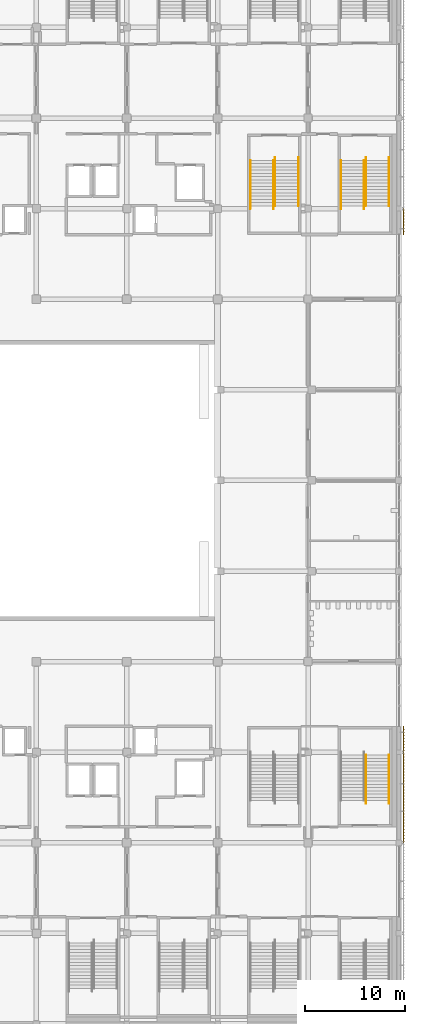
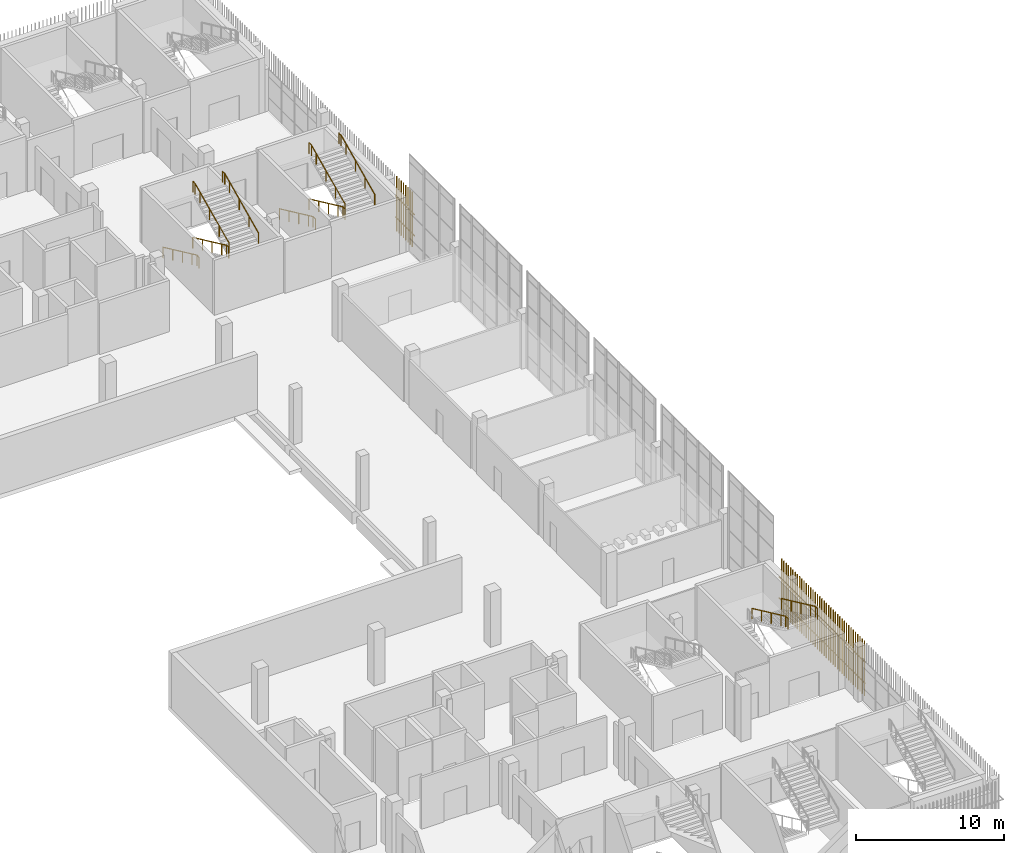
# One storey, part 122 of 126: 10 railings, 3 shading devices.
"""IFC4 building model written with IfcOpenShell, lengths in metres."""

import ifcopenshell
import ifcopenshell.guid

model = None  # the IFC model being written
_history = None  # IfcOwnerHistory: only IFC2X3 demands one
_inside = {}  # id of a spatial element -> (the spatial element, [elements in it])
_under = {}  # id of a project, library or spatial element -> (it, [spatial elements below it])
_declared = {}  # id of a project -> (the project, [libraries it declares])
_typed = {}  # id of a type object -> (the type object, [elements of that type])
_made_of = {}  # id of a material, layer set ... -> (it, [elements and type objects made of it])


def new_model(schema):
    """Start an empty IFC model of exactly this schema.

    Asked for "IFC4X3", IfcOpenShell would pick the latest addendum, in which some entities
    have other attributes; the version numbers below select the first issue.
    IFC2X3 requires an IfcOwnerHistory on every rooted entity: one is made here for all.
    """
    global model, _history
    if schema == "IFC4X3":
        model = ifcopenshell.file(schema_version=(4, 3, 0, 0))
    else:
        model = ifcopenshell.file(schema=schema)
    _inside.clear()
    _under.clear()
    _declared.clear()
    _typed.clear()
    _made_of.clear()
    _history = None
    if model.schema == "IFC2X3":
        org = make("IfcOrganization", Name="unknown")
        user = make(
            "IfcPersonAndOrganization",
            ThePerson=make("IfcPerson", FamilyName="unknown"),
            TheOrganization=org,
        )
        app = make(
            "IfcApplication",
            ApplicationDeveloper=org,
            Version="unknown",
            ApplicationFullName="unknown",
            ApplicationIdentifier="unknown",
        )
        _history = make(
            "IfcOwnerHistory",
            OwningUser=user,
            OwningApplication=app,
            ChangeAction="ADDED",
            CreationDate=0,
        )
    return model


def make(cls, **values):
    """One entity of the class cls with the attributes given. An attribute that is None is left unset."""
    return model.create_entity(
        cls, **{name: value for name, value in values.items() if value is not None}
    )


def rooted(cls, **values):
    """An entity with a GlobalId (a new one), such as an element, a storey or a relation."""
    return make(cls, GlobalId=ifcopenshell.guid.new(), OwnerHistory=_history, **values)


def si_unit(unit_type, name, prefix=None):
    """IfcSIUnit, for example si_unit("LENGTHUNIT", "METRE", prefix="MILLI")."""
    return make("IfcSIUnit", UnitType=unit_type, Prefix=prefix, Name=name)


def assignment(units):
    """IfcUnitAssignment: the units of a project."""
    return None if units is None else make("IfcUnitAssignment", Units=units)


def point(xyz):
    """IfcCartesianPoint."""
    return None if xyz is None else make("IfcCartesianPoint", Coordinates=xyz)


def direction(xyz):
    """IfcDirection."""
    return None if xyz is None else make("IfcDirection", DirectionRatios=xyz)


def frame(location, z_axis=None, x_axis=None):
    """IfcAxis2Placement3D, a coordinate frame: its origin and axes. An axis left out is left unset."""
    return make(
        "IfcAxis2Placement3D",
        Location=point(location),
        Axis=direction(z_axis),
        RefDirection=direction(x_axis),
    )


def frame_2d(location, x_axis=None):
    """IfcAxis2Placement2D, a coordinate frame in the plane: its origin and x axis."""
    return make(
        "IfcAxis2Placement2D", Location=point(location), RefDirection=direction(x_axis)
    )


def origin():
    """The frame at (0, 0, 0) with its axes left unset."""
    return frame((0.0, 0.0, 0.0))


def origin_2d():
    """The frame at (0, 0) in the plane with its x axis left unset."""
    return frame_2d((0.0, 0.0))


def place(relative_to, where):
    """IfcLocalPlacement: puts the frame where relative to a parent placement (None: the world)."""
    return make(
        "IfcLocalPlacement", PlacementRelTo=relative_to, RelativePlacement=where
    )


def context(
    kind, dimensions, precision=None, world=None, true_north=None, identifier=None
):
    """IfcGeometricRepresentationContext, for example the 3D "Model" context."""
    return make(
        "IfcGeometricRepresentationContext",
        ContextIdentifier=identifier,
        ContextType=kind,
        CoordinateSpaceDimension=dimensions,
        Precision=precision,
        WorldCoordinateSystem=world,
        TrueNorth=true_north,
    )


def subcontext(parent, identifier, kind, view, scale=None):
    """IfcGeometricRepresentationSubContext, for example "Body" below "Model"."""
    return make(
        "IfcGeometricRepresentationSubContext",
        ContextIdentifier=identifier,
        ContextType=kind,
        ParentContext=parent,
        TargetScale=scale,
        TargetView=view,
    )


def project(units=None, contexts=None):
    """IfcProject with its units and contexts."""
    return rooted(
        "IfcProject",
        Name="project",
        RepresentationContexts=contexts,
        UnitsInContext=assignment(units),
    )


def spatial(cls, under=None, at=None, **own):
    """A site, building, storey or space (cls), placed at a placement, below another one or the project."""
    s = rooted(cls, ObjectPlacement=at, **own)
    if under is not None:
        _under.setdefault(under.id(), (under, []))[1].append(s)
    return s


def profile(cls, at=None, kind="AREA", **sizes):
    """A parametric profile (cls). Its sizes go by their IFC names, for example OverallWidth=200.0."""
    return make(cls, ProfileType=kind, Position=at, **sizes)


def rectangle(**sizes):
    """IfcRectangleProfileDef."""
    return profile("IfcRectangleProfileDef", **sizes)


def circle(**sizes):
    """IfcCircleProfileDef."""
    return profile("IfcCircleProfileDef", **sizes)


def extrude(swept, where, along, depth):
    """IfcExtrudedAreaSolid: the profile swept, set in the frame where, extruded along a direction by depth."""
    return make(
        "IfcExtrudedAreaSolid",
        SweptArea=swept,
        Position=where,
        ExtrudedDirection=direction(along),
        Depth=depth,
    )


def shape(context_of_items, identifier, shape_type, items):
    """IfcShapeRepresentation: the items that make up one representation, for example the "Body"."""
    return make(
        "IfcShapeRepresentation",
        ContextOfItems=context_of_items,
        RepresentationIdentifier=identifier,
        RepresentationType=shape_type,
        Items=items,
    )


def material(Name=None, Category=None):
    """IfcMaterial."""
    return make("IfcMaterial", Name=Name, Category=Category)


def made_of(thing, what):
    """Note that an element or type object is made of a material, layer set ...; save() writes the relation."""
    if what is not None:
        _made_of.setdefault(what.id(), (what, []))[1].append(thing)
    return thing


def type_object(cls, material=None, **own):
    """A type object (cls), such as IfcWallType, which elements share."""
    return made_of(rooted(cls, **own), material)


def element(
    cls,
    number,
    at=None,
    inside=None,
    cuts=None,
    type_object=None,
    material=None,
    context=None,
    identifier="Body",
    shape_type=None,
    held_by="IfcProductDefinitionShape",
    body=None,
    shapes=None,
    **own,
):
    """One element of the class cls, such as IfcWall. Its Tag is "e" and its number.

    at: its placement. inside: the storey or other place that contains it. cuts: it is an
    opening in that element (IfcRelVoidsElement). A single representation is given by context,
    identifier, shape_type and body (its items); several are given by shapes. held_by: the class
    of the entity that holds the representations. save() writes the other relations.
    """
    e = rooted(cls, Tag="e%d" % number, ObjectPlacement=at, **own)
    if body is not None:
        shapes = [shape(context, identifier, shape_type, body)]
    if shapes is not None:
        e.Representation = make(held_by, Representations=shapes)
    if inside is not None:
        _inside.setdefault(inside.id(), (inside, []))[1].append(e)
    if cuts is not None:
        rooted(
            "IfcRelVoidsElement", RelatingBuildingElement=cuts, RelatedOpeningElement=e
        )
    if type_object is not None:
        _typed.setdefault(type_object.id(), (type_object, []))[1].append(e)
    return made_of(e, material)


def aggregate(whole, parts):
    """IfcRelAggregates: a whole, such as a stair, and the parts it consists of."""
    return rooted("IfcRelAggregates", RelatingObject=whole, RelatedObjects=parts)


def save(model, path):
    """Write the relations noted so far, then the file.

    IfcRelAggregates (storeys below a building ...), IfcRelContainedInSpatialStructure (elements
    in a storey), IfcRelDefinesByType, IfcRelAssociatesMaterial and IfcRelDeclares: one each for
    every whole, place, type object, material and project.
    """
    for whole, parts in _under.values():
        aggregate(whole, parts)
    for where, things in _inside.values():
        rooted(
            "IfcRelContainedInSpatialStructure",
            RelatedElements=things,
            RelatingStructure=where,
        )
    for kind, things in _typed.values():
        rooted("IfcRelDefinesByType", RelatedObjects=things, RelatingType=kind)
    for what, things in _made_of.values():
        rooted("IfcRelAssociatesMaterial", RelatedObjects=things, RelatingMaterial=what)
    for by, libraries in _declared.values():
        rooted("IfcRelDeclares", RelatingContext=by, RelatedDefinitions=libraries)
    model.write(path)


model = new_model("IFC4")

# Units and contexts
model_context = context("Model", 3, precision=1e-05, world=origin(), true_north=direction((0.0, 1.0)))
body_context = subcontext(model_context, "Body", "Model", "MODEL_VIEW")
ifc_project = project(units=[si_unit("LENGTHUNIT", "METRE"), si_unit("AREAUNIT", "SQUARE_METRE"), si_unit("VOLUMEUNIT", "CUBIC_METRE"), si_unit("PLANEANGLEUNIT", "RADIAN"), si_unit("MASSUNIT", "GRAM", prefix="KILO")], contexts=[model_context])

# Site, building, storey
site_placement = place(None, origin())
site = spatial("IfcSite", under=ifc_project, at=site_placement, CompositionType="ELEMENT")
building_placement = place(site_placement, origin())
building = spatial("IfcBuilding", under=site, at=building_placement, Name="Shirokan Park Arena", CompositionType="ELEMENT")
storey_placement = place(building_placement, frame((0.0, 0.0, 6.3701171875)))
storey = spatial("IfcBuildingStorey", under=building, at=storey_placement, Name="L01", CompositionType="ELEMENT", Elevation=6.3701171875)

# Railings
ifc_material_1 = material(Name="Stainless steel", Category="steel")
railing_type = type_object("IfcRailingType", Name="Stair handrail 900", PredefinedType="HANDRAIL", material=ifc_material_1)
railing_1_placement = place(storey_placement, frame((142.2900390625, 27.023681640625, 2.426513671875)))
element("IfcRailing", 1, at=railing_1_placement, inside=storey, type_object=railing_type, Name="Handrail Exit Stair 2.E L01 to L02", PredefinedType="HANDRAIL", context=body_context, shape_type="SweptSolid", body=[
    extrude(circle(Radius=0.02392578125, at=origin_2d()), frame((0.0, 0.0, 0.8759765625), z_axis=(0.0, -0.906999720516, 0.421131222998), x_axis=(1.0, 0.0, 0.0)), (0.0, 0.0, 1.0), 1.440673828125),
    extrude(circle(Radius=0.02392578125, at=origin_2d()), frame((0.0, -1.306640625, 1.482421875), z_axis=(0.0, -0.907029769225, 0.421066500378), x_axis=(1.0, 0.0, 0.0)), (0.0, 0.0, 1.0), 1.44091796875),
    extrude(circle(Radius=0.02392578125, at=origin_2d()), frame((0.0, -2.613525390625, 2.08935546875), z_axis=(0.0, -0.906999720516, 0.421131222998), x_axis=(1.0, 0.0, 0.0)), (0.0, 0.0, 1.0), 1.440673828125),
    extrude(circle(Radius=0.02392578125, at=origin_2d()), frame((0.0, -3.920166015625, 2.69580078125), z_axis=(0.0, -0.907124493983, 0.420862391306), x_axis=(1.0, 0.0, 0.0)), (0.0, 0.0, 1.0), 0.720458984375),
    extrude(circle(Radius=0.02392578125, at=origin_2d()), frame((0.0, -4.57373046875, 2.9990234375), z_axis=(0.0, -1.0, 0.0), x_axis=(1.0, 0.0, 0.0)), (0.0, 0.0, 1.0), 0.300048828125),
    extrude(circle(Radius=0.02099609375, at=origin_2d()), origin(), (0.0, 0.0, 1.0), 0.851806640625),
    extrude(circle(Radius=0.02099609375, at=origin_2d()), frame((0.0, -1.306640625, 0.606689453125)), (0.0, 0.0, 1.0), 0.851806640625),
    extrude(circle(Radius=0.02099609375, at=origin_2d()), frame((0.0, -2.613525390625, 1.21337890625)), (0.0, 0.0, 1.0), 0.851806640625),
    extrude(circle(Radius=0.02099609375, at=origin_2d()), frame((0.0, -3.920166015625, 1.820068359375)), (0.0, 0.0, 1.0), 0.851806640625),
    extrude(circle(Radius=0.02099609375, at=origin_2d()), frame((0.0, -4.57373046875, 2.123291015625)), (0.0, 0.0, 1.0), 0.851806640625),
    extrude(circle(Radius=0.02099609375, at=origin_2d()), frame((0.0, -4.873779296875, 2.123291015625)), (0.0, 0.0, 1.0), 0.851806640625),
])
railing_2_placement = place(storey_placement, frame((144.610107421875, 27.023681640625, 2.426513671875)))
element("IfcRailing", 2, at=railing_2_placement, inside=storey, type_object=railing_type, Name="Handrail Exit Stair 2.E L01 to L02", PredefinedType="HANDRAIL", context=body_context, shape_type="SweptSolid", body=[
    extrude(circle(Radius=0.02392578125, at=origin_2d()), frame((0.0, 0.0, 0.8759765625), z_axis=(0.0, -0.906999720516, 0.421131222998), x_axis=(1.0, 0.0, 0.0)), (0.0, 0.0, 1.0), 1.440673828125),
    extrude(circle(Radius=0.02392578125, at=origin_2d()), frame((0.0, -1.306640625, 1.482421875), z_axis=(0.0, -0.907029769225, 0.421066500378), x_axis=(1.0, 0.0, 0.0)), (0.0, 0.0, 1.0), 1.44091796875),
    extrude(circle(Radius=0.02392578125, at=origin_2d()), frame((0.0, -2.613525390625, 2.08935546875), z_axis=(0.0, -0.906999720516, 0.421131222998), x_axis=(1.0, 0.0, 0.0)), (0.0, 0.0, 1.0), 1.440673828125),
    extrude(circle(Radius=0.02392578125, at=origin_2d()), frame((0.0, -3.920166015625, 2.69580078125), z_axis=(0.0, -0.907124493983, 0.420862391306), x_axis=(1.0, 0.0, 0.0)), (0.0, 0.0, 1.0), 0.720458984375),
    extrude(circle(Radius=0.02392578125, at=origin_2d()), frame((0.0, -4.57373046875, 2.9990234375), z_axis=(0.0, -1.0, 0.0), x_axis=(1.0, 0.0, 0.0)), (0.0, 0.0, 1.0), 0.300048828125),
    extrude(circle(Radius=0.02099609375, at=origin_2d()), origin(), (0.0, 0.0, 1.0), 0.851806640625),
    extrude(circle(Radius=0.02099609375, at=origin_2d()), frame((0.0, -1.306640625, 0.606689453125)), (0.0, 0.0, 1.0), 0.851806640625),
    extrude(circle(Radius=0.02099609375, at=origin_2d()), frame((0.0, -2.613525390625, 1.21337890625)), (0.0, 0.0, 1.0), 0.851806640625),
    extrude(circle(Radius=0.02099609375, at=origin_2d()), frame((0.0, -3.920166015625, 1.820068359375)), (0.0, 0.0, 1.0), 0.851806640625),
    extrude(circle(Radius=0.02099609375, at=origin_2d()), frame((0.0, -4.57373046875, 2.123291015625)), (0.0, 0.0, 1.0), 0.851806640625),
    extrude(circle(Radius=0.02099609375, at=origin_2d()), frame((0.0, -4.873779296875, 2.123291015625)), (0.0, 0.0, 1.0), 0.851806640625),
])
railing_3_placement = place(storey_placement, frame((139.7900390625, 86.75, 0.151611328125)))
element("IfcRailing", 3, at=railing_3_placement, inside=storey, type_object=railing_type, Name="Handrail Exit Stair 3.E L01 to L02", PredefinedType="HANDRAIL", context=body_context, shape_type="SweptSolid", body=[
    extrude(circle(Radius=0.02392578125, at=origin_2d()), frame((0.0, 0.0, 0.8759765625), z_axis=(0.0, -0.907029769225, 0.421066500378), x_axis=(1.0, 0.0, 0.0)), (0.0, 0.0, 1.0), 1.44091796875),
    extrude(circle(Radius=0.02392578125, at=origin_2d()), frame((0.0, -1.306884765625, 1.482421875), z_axis=(0.0, -0.906999720516, 0.421131222998), x_axis=(1.0, 0.0, 0.0)), (0.0, 0.0, 1.0), 1.440673828125),
    extrude(circle(Radius=0.02392578125, at=origin_2d()), frame((0.0, -2.613525390625, 2.08935546875), z_axis=(0.0, -0.907094476872, 0.420927083981), x_axis=(1.0, 0.0, 0.0)), (0.0, 0.0, 1.0), 1.440673828125),
    extrude(circle(Radius=0.02392578125, at=origin_2d()), frame((0.0, -3.92041015625, 2.69580078125), z_axis=(0.0, -0.906934982928, 0.421270621741), x_axis=(1.0, 0.0, 0.0)), (0.0, 0.0, 1.0), 0.720458984375),
    extrude(circle(Radius=0.02392578125, at=origin_2d()), frame((0.0, -4.57373046875, 2.9990234375), z_axis=(0.0, -1.0, 0.0), x_axis=(1.0, 0.0, 0.0)), (0.0, 0.0, 1.0), 0.300048828125),
    extrude(circle(Radius=0.02099609375, at=origin_2d()), origin(), (0.0, 0.0, 1.0), 0.851806640625),
    extrude(circle(Radius=0.02099609375, at=origin_2d()), frame((0.0, -1.306884765625, 0.606689453125)), (0.0, 0.0, 1.0), 0.851806640625),
    extrude(circle(Radius=0.02099609375, at=origin_2d()), frame((0.0, -2.613525390625, 1.21337890625)), (0.0, 0.0, 1.0), 0.851806640625),
    extrude(circle(Radius=0.02099609375, at=origin_2d()), frame((0.0, -3.92041015625, 1.81982421875)), (0.0, 0.0, 1.0), 0.851806640625),
    extrude(circle(Radius=0.02099609375, at=origin_2d()), frame((0.0, -4.57373046875, 2.123291015625)), (0.0, 0.0, 1.0), 0.851806640625),
    extrude(circle(Radius=0.02099609375, at=origin_2d()), frame((0.0, -4.873779296875, 2.123291015625)), (0.0, 0.0, 1.0), 0.851806640625),
])
railing_4_placement = place(storey_placement, frame((142.110107421875, 86.75, 0.151611328125)))
element("IfcRailing", 4, at=railing_4_placement, inside=storey, type_object=railing_type, Name="Handrail Exit Stair 3.E L01 to L02", PredefinedType="HANDRAIL", context=body_context, shape_type="SweptSolid", body=[
    extrude(circle(Radius=0.02392578125, at=origin_2d()), frame((0.0, 0.0, 0.8759765625), z_axis=(0.0, -0.907029769225, 0.421066500378), x_axis=(1.0, 0.0, 0.0)), (0.0, 0.0, 1.0), 1.44091796875),
    extrude(circle(Radius=0.02392578125, at=origin_2d()), frame((0.0, -1.306884765625, 1.482421875), z_axis=(0.0, -0.906999720516, 0.421131222998), x_axis=(1.0, 0.0, 0.0)), (0.0, 0.0, 1.0), 1.440673828125),
    extrude(circle(Radius=0.02392578125, at=origin_2d()), frame((0.0, -2.613525390625, 2.08935546875), z_axis=(0.0, -0.907094476872, 0.420927083981), x_axis=(1.0, 0.0, 0.0)), (0.0, 0.0, 1.0), 1.440673828125),
    extrude(circle(Radius=0.02392578125, at=origin_2d()), frame((0.0, -3.92041015625, 2.69580078125), z_axis=(0.0, -0.906934982928, 0.421270621741), x_axis=(1.0, 0.0, 0.0)), (0.0, 0.0, 1.0), 0.720458984375),
    extrude(circle(Radius=0.02392578125, at=origin_2d()), frame((0.0, -4.57373046875, 2.9990234375), z_axis=(0.0, -1.0, 0.0), x_axis=(1.0, 0.0, 0.0)), (0.0, 0.0, 1.0), 0.300048828125),
    extrude(circle(Radius=0.02099609375, at=origin_2d()), origin(), (0.0, 0.0, 1.0), 0.851806640625),
    extrude(circle(Radius=0.02099609375, at=origin_2d()), frame((0.0, -1.306884765625, 0.606689453125)), (0.0, 0.0, 1.0), 0.851806640625),
    extrude(circle(Radius=0.02099609375, at=origin_2d()), frame((0.0, -2.613525390625, 1.21337890625)), (0.0, 0.0, 1.0), 0.851806640625),
    extrude(circle(Radius=0.02099609375, at=origin_2d()), frame((0.0, -3.92041015625, 1.81982421875)), (0.0, 0.0, 1.0), 0.851806640625),
    extrude(circle(Radius=0.02099609375, at=origin_2d()), frame((0.0, -4.57373046875, 2.123291015625)), (0.0, 0.0, 1.0), 0.851806640625),
    extrude(circle(Radius=0.02099609375, at=origin_2d()), frame((0.0, -4.873779296875, 2.123291015625)), (0.0, 0.0, 1.0), 0.851806640625),
])
railing_5_placement = place(storey_placement, frame((142.2900390625, 82.17626953125, 2.426513671875)))
element("IfcRailing", 5, at=railing_5_placement, inside=storey, type_object=railing_type, Name="Handrail Exit Stair 3.E L01 to L02", PredefinedType="HANDRAIL", context=body_context, shape_type="SweptSolid", body=[
    extrude(circle(Radius=0.02392578125, at=origin_2d()), frame((0.0, 0.0, 0.8759765625), z_axis=(0.0, 0.906999720516, 0.421131222998), x_axis=(-1.0, 0.0, 0.0)), (0.0, 0.0, 1.0), 1.440673828125),
    extrude(circle(Radius=0.02392578125, at=origin_2d()), frame((0.0, 1.306640625, 1.482421875), z_axis=(0.0, 0.907029769225, 0.421066500378), x_axis=(-1.0, 0.0, 0.0)), (0.0, 0.0, 1.0), 1.44091796875),
    extrude(circle(Radius=0.02392578125, at=origin_2d()), frame((0.0, 2.613525390625, 2.08935546875), z_axis=(0.0, 0.907029769225, 0.421066500378), x_axis=(-1.0, 0.0, 0.0)), (0.0, 0.0, 1.0), 1.44091796875),
    extrude(circle(Radius=0.02392578125, at=origin_2d()), frame((0.0, 3.92041015625, 2.69580078125), z_axis=(0.0, 0.907064445915, 0.420991794405), x_axis=(-1.0, 0.0, 0.0)), (0.0, 0.0, 1.0), 0.72021484375),
    extrude(circle(Radius=0.02392578125, at=origin_2d()), frame((0.0, 4.57373046875, 2.9990234375), z_axis=(0.0, 1.0, 0.0), x_axis=(-1.0, 0.0, 0.0)), (0.0, 0.0, 1.0), 0.300048828125),
    extrude(circle(Radius=0.02099609375, at=origin_2d()), origin(), (0.0, 0.0, 1.0), 0.851806640625),
    extrude(circle(Radius=0.02099609375, at=origin_2d()), frame((0.0, 1.306640625, 0.606689453125)), (0.0, 0.0, 1.0), 0.851806640625),
    extrude(circle(Radius=0.02099609375, at=origin_2d()), frame((0.0, 2.613525390625, 1.21337890625)), (0.0, 0.0, 1.0), 0.851806640625),
    extrude(circle(Radius=0.02099609375, at=origin_2d()), frame((0.0, 3.92041015625, 1.820068359375)), (0.0, 0.0, 1.0), 0.851806640625),
    extrude(circle(Radius=0.02099609375, at=origin_2d()), frame((0.0, 4.57373046875, 2.123291015625)), (0.0, 0.0, 1.0), 0.851806640625),
    extrude(circle(Radius=0.02099609375, at=origin_2d()), frame((0.0, 4.873779296875, 2.123291015625)), (0.0, 0.0, 1.0), 0.851806640625),
])
railing_6_placement = place(storey_placement, frame((144.610107421875, 82.17626953125, 2.426513671875)))
element("IfcRailing", 6, at=railing_6_placement, inside=storey, type_object=railing_type, Name="Handrail Exit Stair 3.E L01 to L02", PredefinedType="HANDRAIL", context=body_context, shape_type="SweptSolid", body=[
    extrude(circle(Radius=0.02392578125, at=origin_2d()), frame((0.0, 0.0, 0.8759765625), z_axis=(0.0, 0.906999720516, 0.421131222998), x_axis=(-1.0, 0.0, 0.0)), (0.0, 0.0, 1.0), 1.440673828125),
    extrude(circle(Radius=0.02392578125, at=origin_2d()), frame((0.0, 1.306640625, 1.482421875), z_axis=(0.0, 0.907029769225, 0.421066500378), x_axis=(-1.0, 0.0, 0.0)), (0.0, 0.0, 1.0), 1.44091796875),
    extrude(circle(Radius=0.02392578125, at=origin_2d()), frame((0.0, 2.613525390625, 2.08935546875), z_axis=(0.0, 0.907029769225, 0.421066500378), x_axis=(-1.0, 0.0, 0.0)), (0.0, 0.0, 1.0), 1.44091796875),
    extrude(circle(Radius=0.02392578125, at=origin_2d()), frame((0.0, 3.92041015625, 2.69580078125), z_axis=(0.0, 0.907064445915, 0.420991794405), x_axis=(-1.0, 0.0, 0.0)), (0.0, 0.0, 1.0), 0.72021484375),
    extrude(circle(Radius=0.02392578125, at=origin_2d()), frame((0.0, 4.57373046875, 2.9990234375), z_axis=(0.0, 1.0, 0.0), x_axis=(-1.0, 0.0, 0.0)), (0.0, 0.0, 1.0), 0.300048828125),
    extrude(circle(Radius=0.02099609375, at=origin_2d()), origin(), (0.0, 0.0, 1.0), 0.851806640625),
    extrude(circle(Radius=0.02099609375, at=origin_2d()), frame((0.0, 1.306640625, 0.606689453125)), (0.0, 0.0, 1.0), 0.851806640625),
    extrude(circle(Radius=0.02099609375, at=origin_2d()), frame((0.0, 2.613525390625, 1.21337890625)), (0.0, 0.0, 1.0), 0.851806640625),
    extrude(circle(Radius=0.02099609375, at=origin_2d()), frame((0.0, 3.92041015625, 1.820068359375)), (0.0, 0.0, 1.0), 0.851806640625),
    extrude(circle(Radius=0.02099609375, at=origin_2d()), frame((0.0, 4.57373046875, 2.123291015625)), (0.0, 0.0, 1.0), 0.851806640625),
    extrude(circle(Radius=0.02099609375, at=origin_2d()), frame((0.0, 4.873779296875, 2.123291015625)), (0.0, 0.0, 1.0), 0.851806640625),
])
railing_7_placement = place(storey_placement, frame((130.68994140625, 86.75, 0.151611328125)))
element("IfcRailing", 7, at=railing_7_placement, inside=storey, type_object=railing_type, Name="Handrail Exit Stair 3.F L01 to L02", PredefinedType="HANDRAIL", context=body_context, shape_type="SweptSolid", body=[
    extrude(circle(Radius=0.02392578125, at=origin_2d()), frame((0.0, 0.0, 0.8759765625), z_axis=(0.0, -0.907029769225, 0.421066500378), x_axis=(1.0, 0.0, 0.0)), (0.0, 0.0, 1.0), 1.44091796875),
    extrude(circle(Radius=0.02392578125, at=origin_2d()), frame((0.0, -1.306884765625, 1.482421875), z_axis=(0.0, -0.906999720516, 0.421131222998), x_axis=(1.0, 0.0, 0.0)), (0.0, 0.0, 1.0), 1.440673828125),
    extrude(circle(Radius=0.02392578125, at=origin_2d()), frame((0.0, -2.613525390625, 2.08935546875), z_axis=(0.0, -0.907094476872, 0.420927083981), x_axis=(1.0, 0.0, 0.0)), (0.0, 0.0, 1.0), 1.440673828125),
    extrude(circle(Radius=0.02392578125, at=origin_2d()), frame((0.0, -3.92041015625, 2.69580078125), z_axis=(0.0, -0.906934982928, 0.421270621741), x_axis=(1.0, 0.0, 0.0)), (0.0, 0.0, 1.0), 0.720458984375),
    extrude(circle(Radius=0.02392578125, at=origin_2d()), frame((0.0, -4.57373046875, 2.9990234375), z_axis=(0.0, -1.0, 0.0), x_axis=(1.0, 0.0, 0.0)), (0.0, 0.0, 1.0), 0.300048828125),
    extrude(circle(Radius=0.02099609375, at=origin_2d()), origin(), (0.0, 0.0, 1.0), 0.851806640625),
    extrude(circle(Radius=0.02099609375, at=origin_2d()), frame((0.0, -1.306884765625, 0.606689453125)), (0.0, 0.0, 1.0), 0.851806640625),
    extrude(circle(Radius=0.02099609375, at=origin_2d()), frame((0.0, -2.613525390625, 1.21337890625)), (0.0, 0.0, 1.0), 0.851806640625),
    extrude(circle(Radius=0.02099609375, at=origin_2d()), frame((0.0, -3.92041015625, 1.81982421875)), (0.0, 0.0, 1.0), 0.851806640625),
    extrude(circle(Radius=0.02099609375, at=origin_2d()), frame((0.0, -4.57373046875, 2.123291015625)), (0.0, 0.0, 1.0), 0.851806640625),
    extrude(circle(Radius=0.02099609375, at=origin_2d()), frame((0.0, -4.873779296875, 2.123291015625)), (0.0, 0.0, 1.0), 0.851806640625),
])
railing_8_placement = place(storey_placement, frame((133.010009765625, 86.75, 0.151611328125)))
element("IfcRailing", 8, at=railing_8_placement, inside=storey, type_object=railing_type, Name="Handrail Exit Stair 3.F L01 to L02", PredefinedType="HANDRAIL", context=body_context, shape_type="SweptSolid", body=[
    extrude(circle(Radius=0.02392578125, at=origin_2d()), frame((0.0, 0.0, 0.8759765625), z_axis=(0.0, -0.907029769225, 0.421066500378), x_axis=(1.0, 0.0, 0.0)), (0.0, 0.0, 1.0), 1.44091796875),
    extrude(circle(Radius=0.02392578125, at=origin_2d()), frame((0.0, -1.306884765625, 1.482421875), z_axis=(0.0, -0.906999720516, 0.421131222998), x_axis=(1.0, 0.0, 0.0)), (0.0, 0.0, 1.0), 1.440673828125),
    extrude(circle(Radius=0.02392578125, at=origin_2d()), frame((0.0, -2.613525390625, 2.08935546875), z_axis=(0.0, -0.907094476872, 0.420927083981), x_axis=(1.0, 0.0, 0.0)), (0.0, 0.0, 1.0), 1.440673828125),
    extrude(circle(Radius=0.02392578125, at=origin_2d()), frame((0.0, -3.92041015625, 2.69580078125), z_axis=(0.0, -0.906934982928, 0.421270621741), x_axis=(1.0, 0.0, 0.0)), (0.0, 0.0, 1.0), 0.720458984375),
    extrude(circle(Radius=0.02392578125, at=origin_2d()), frame((0.0, -4.57373046875, 2.9990234375), z_axis=(0.0, -1.0, 0.0), x_axis=(1.0, 0.0, 0.0)), (0.0, 0.0, 1.0), 0.300048828125),
    extrude(circle(Radius=0.02099609375, at=origin_2d()), origin(), (0.0, 0.0, 1.0), 0.851806640625),
    extrude(circle(Radius=0.02099609375, at=origin_2d()), frame((0.0, -1.306884765625, 0.606689453125)), (0.0, 0.0, 1.0), 0.851806640625),
    extrude(circle(Radius=0.02099609375, at=origin_2d()), frame((0.0, -2.613525390625, 1.21337890625)), (0.0, 0.0, 1.0), 0.851806640625),
    extrude(circle(Radius=0.02099609375, at=origin_2d()), frame((0.0, -3.92041015625, 1.81982421875)), (0.0, 0.0, 1.0), 0.851806640625),
    extrude(circle(Radius=0.02099609375, at=origin_2d()), frame((0.0, -4.57373046875, 2.123291015625)), (0.0, 0.0, 1.0), 0.851806640625),
    extrude(circle(Radius=0.02099609375, at=origin_2d()), frame((0.0, -4.873779296875, 2.123291015625)), (0.0, 0.0, 1.0), 0.851806640625),
])
railing_9_placement = place(storey_placement, frame((133.18994140625, 82.17626953125, 2.426513671875)))
element("IfcRailing", 9, at=railing_9_placement, inside=storey, type_object=railing_type, Name="Handrail Exit Stair 3.F L01 to L02", PredefinedType="HANDRAIL", context=body_context, shape_type="SweptSolid", body=[
    extrude(circle(Radius=0.02392578125, at=origin_2d()), frame((0.0, 0.0, 0.8759765625), z_axis=(0.0, 0.906999720516, 0.421131222998), x_axis=(-1.0, 0.0, 0.0)), (0.0, 0.0, 1.0), 1.440673828125),
    extrude(circle(Radius=0.02392578125, at=origin_2d()), frame((0.0, 1.306640625, 1.482421875), z_axis=(0.0, 0.907029769225, 0.421066500378), x_axis=(-1.0, 0.0, 0.0)), (0.0, 0.0, 1.0), 1.44091796875),
    extrude(circle(Radius=0.02392578125, at=origin_2d()), frame((0.0, 2.613525390625, 2.08935546875), z_axis=(0.0, 0.907029769225, 0.421066500378), x_axis=(-1.0, 0.0, 0.0)), (0.0, 0.0, 1.0), 1.44091796875),
    extrude(circle(Radius=0.02392578125, at=origin_2d()), frame((0.0, 3.92041015625, 2.69580078125), z_axis=(0.0, 0.907064445915, 0.420991794405), x_axis=(-1.0, 0.0, 0.0)), (0.0, 0.0, 1.0), 0.72021484375),
    extrude(circle(Radius=0.02392578125, at=origin_2d()), frame((0.0, 4.57373046875, 2.9990234375), z_axis=(0.0, 1.0, 0.0), x_axis=(-1.0, 0.0, 0.0)), (0.0, 0.0, 1.0), 0.300048828125),
    extrude(circle(Radius=0.02099609375, at=origin_2d()), origin(), (0.0, 0.0, 1.0), 0.851806640625),
    extrude(circle(Radius=0.02099609375, at=origin_2d()), frame((0.0, 1.306640625, 0.606689453125)), (0.0, 0.0, 1.0), 0.851806640625),
    extrude(circle(Radius=0.02099609375, at=origin_2d()), frame((0.0, 2.613525390625, 1.21337890625)), (0.0, 0.0, 1.0), 0.851806640625),
    extrude(circle(Radius=0.02099609375, at=origin_2d()), frame((0.0, 3.92041015625, 1.820068359375)), (0.0, 0.0, 1.0), 0.851806640625),
    extrude(circle(Radius=0.02099609375, at=origin_2d()), frame((0.0, 4.57373046875, 2.123291015625)), (0.0, 0.0, 1.0), 0.851806640625),
    extrude(circle(Radius=0.02099609375, at=origin_2d()), frame((0.0, 4.873779296875, 2.123291015625)), (0.0, 0.0, 1.0), 0.851806640625),
])
railing_10_placement = place(storey_placement, frame((135.510009765625, 82.17626953125, 2.426513671875)))
element("IfcRailing", 10, at=railing_10_placement, inside=storey, type_object=railing_type, Name="Handrail Exit Stair 3.F L01 to L02", PredefinedType="HANDRAIL", context=body_context, shape_type="SweptSolid", body=[
    extrude(circle(Radius=0.02392578125, at=origin_2d()), frame((0.0, 0.0, 0.8759765625), z_axis=(0.0, 0.906999720516, 0.421131222998), x_axis=(-1.0, 0.0, 0.0)), (0.0, 0.0, 1.0), 1.440673828125),
    extrude(circle(Radius=0.02392578125, at=origin_2d()), frame((0.0, 1.306640625, 1.482421875), z_axis=(0.0, 0.907029769225, 0.421066500378), x_axis=(-1.0, 0.0, 0.0)), (0.0, 0.0, 1.0), 1.44091796875),
    extrude(circle(Radius=0.02392578125, at=origin_2d()), frame((0.0, 2.613525390625, 2.08935546875), z_axis=(0.0, 0.907029769225, 0.421066500378), x_axis=(-1.0, 0.0, 0.0)), (0.0, 0.0, 1.0), 1.44091796875),
    extrude(circle(Radius=0.02392578125, at=origin_2d()), frame((0.0, 3.92041015625, 2.69580078125), z_axis=(0.0, 0.907064445915, 0.420991794405), x_axis=(-1.0, 0.0, 0.0)), (0.0, 0.0, 1.0), 0.72021484375),
    extrude(circle(Radius=0.02392578125, at=origin_2d()), frame((0.0, 4.57373046875, 2.9990234375), z_axis=(0.0, 1.0, 0.0), x_axis=(-1.0, 0.0, 0.0)), (0.0, 0.0, 1.0), 0.300048828125),
    extrude(circle(Radius=0.02099609375, at=origin_2d()), origin(), (0.0, 0.0, 1.0), 0.851806640625),
    extrude(circle(Radius=0.02099609375, at=origin_2d()), frame((0.0, 1.306640625, 0.606689453125)), (0.0, 0.0, 1.0), 0.851806640625),
    extrude(circle(Radius=0.02099609375, at=origin_2d()), frame((0.0, 2.613525390625, 1.21337890625)), (0.0, 0.0, 1.0), 0.851806640625),
    extrude(circle(Radius=0.02099609375, at=origin_2d()), frame((0.0, 3.92041015625, 1.820068359375)), (0.0, 0.0, 1.0), 0.851806640625),
    extrude(circle(Radius=0.02099609375, at=origin_2d()), frame((0.0, 4.57373046875, 2.123291015625)), (0.0, 0.0, 1.0), 0.851806640625),
    extrude(circle(Radius=0.02099609375, at=origin_2d()), frame((0.0, 4.873779296875, 2.123291015625)), (0.0, 0.0, 1.0), 0.851806640625),
])

# Shading devices
ifc_material_2 = material(Name="Timber louvre veil (cedar)", Category="wood")
shading_device_type = type_object("IfcShadingDeviceType", Name="Timber louvre veil panel", PredefinedType="JALOUSIE", material=ifc_material_2)
shading_device_1_placement = place(storey_placement, origin())
element("IfcShadingDevice", 11, at=shading_device_1_placement, inside=storey, type_object=shading_device_type, Name="Timber louvre veil east bay 3 L01", PredefinedType="JALOUSIE", context=body_context, shape_type="SweptSolid", body=[
    extrude(rectangle(XDim=0.050048828125, YDim=0.080078125, at=origin_2d()), frame((146.0849609375, 18.3515625, 0.0), z_axis=(0.0, 0.0, 1.0), x_axis=(0.0, 1.0, 0.0)), (0.0, 0.0, 1.0), 4.550048828125),
    extrude(rectangle(XDim=0.050048828125, YDim=0.080078125, at=origin_2d()), frame((146.0849609375, 18.655029296875, 0.0), z_axis=(0.0, 0.0, 1.0), x_axis=(0.0, 1.0, 0.0)), (0.0, 0.0, 1.0), 4.550048828125),
    extrude(rectangle(XDim=0.050048828125, YDim=0.080078125, at=origin_2d()), frame((146.0849609375, 18.958251953125, 0.0), z_axis=(0.0, 0.0, 1.0), x_axis=(0.0, 1.0, 0.0)), (0.0, 0.0, 1.0), 4.550048828125),
    extrude(rectangle(XDim=0.050048828125, YDim=0.080078125, at=origin_2d()), frame((146.0849609375, 19.26171875, 0.0), z_axis=(0.0, 0.0, 1.0), x_axis=(0.0, 1.0, 0.0)), (0.0, 0.0, 1.0), 4.550048828125),
    extrude(rectangle(XDim=0.050048828125, YDim=0.080078125, at=origin_2d()), frame((146.0849609375, 19.56494140625, 0.0), z_axis=(0.0, 0.0, 1.0), x_axis=(0.0, 1.0, 0.0)), (0.0, 0.0, 1.0), 4.550048828125),
    extrude(rectangle(XDim=0.050048828125, YDim=0.080078125, at=origin_2d()), frame((146.0849609375, 19.868408203125, 0.0), z_axis=(0.0, 0.0, 1.0), x_axis=(0.0, 1.0, 0.0)), (0.0, 0.0, 1.0), 4.550048828125),
    extrude(rectangle(XDim=0.050048828125, YDim=0.080078125, at=origin_2d()), frame((146.0849609375, 20.171630859375, 0.0), z_axis=(0.0, 0.0, 1.0), x_axis=(0.0, 1.0, 0.0)), (0.0, 0.0, 1.0), 4.550048828125),
    extrude(rectangle(XDim=0.050048828125, YDim=0.080078125, at=origin_2d()), frame((146.0849609375, 20.47509765625, 0.0), z_axis=(0.0, 0.0, 1.0), x_axis=(0.0, 1.0, 0.0)), (0.0, 0.0, 1.0), 4.550048828125),
    extrude(rectangle(XDim=0.050048828125, YDim=0.080078125, at=origin_2d()), frame((146.0849609375, 20.7783203125, 0.0), z_axis=(0.0, 0.0, 1.0), x_axis=(0.0, 1.0, 0.0)), (0.0, 0.0, 1.0), 4.550048828125),
    extrude(rectangle(XDim=0.050048828125, YDim=0.080078125, at=origin_2d()), frame((146.0849609375, 21.081787109375, 0.0), z_axis=(0.0, 0.0, 1.0), x_axis=(0.0, 1.0, 0.0)), (0.0, 0.0, 1.0), 4.550048828125),
    extrude(rectangle(XDim=0.050048828125, YDim=0.080078125, at=origin_2d()), frame((146.0849609375, 21.385009765625, 0.0), z_axis=(0.0, 0.0, 1.0), x_axis=(0.0, 1.0, 0.0)), (0.0, 0.0, 1.0), 4.550048828125),
    extrude(rectangle(XDim=0.050048828125, YDim=0.080078125, at=origin_2d()), frame((146.0849609375, 21.688232421875, 0.0), z_axis=(0.0, 0.0, 1.0), x_axis=(0.0, 1.0, 0.0)), (0.0, 0.0, 1.0), 4.550048828125),
    extrude(rectangle(XDim=0.050048828125, YDim=0.080078125, at=origin_2d()), frame((146.0849609375, 21.99169921875, 0.0), z_axis=(0.0, 0.0, 1.0), x_axis=(0.0, 1.0, 0.0)), (0.0, 0.0, 1.0), 4.550048828125),
    extrude(rectangle(XDim=0.050048828125, YDim=0.080078125, at=origin_2d()), frame((146.0849609375, 22.294921875, 0.0), z_axis=(0.0, 0.0, 1.0), x_axis=(0.0, 1.0, 0.0)), (0.0, 0.0, 1.0), 4.550048828125),
    extrude(rectangle(XDim=0.050048828125, YDim=0.080078125, at=origin_2d()), frame((146.0849609375, 22.598388671875, 0.0), z_axis=(0.0, 0.0, 1.0), x_axis=(0.0, 1.0, 0.0)), (0.0, 0.0, 1.0), 4.550048828125),
    extrude(rectangle(XDim=0.050048828125, YDim=0.080078125, at=origin_2d()), frame((146.0849609375, 22.901611328125, 0.0), z_axis=(0.0, 0.0, 1.0), x_axis=(0.0, 1.0, 0.0)), (0.0, 0.0, 1.0), 4.550048828125),
    extrude(rectangle(XDim=0.050048828125, YDim=0.080078125, at=origin_2d()), frame((146.0849609375, 23.205078125, 0.0), z_axis=(0.0, 0.0, 1.0), x_axis=(0.0, 1.0, 0.0)), (0.0, 0.0, 1.0), 4.550048828125),
    extrude(rectangle(XDim=0.050048828125, YDim=0.080078125, at=origin_2d()), frame((146.0849609375, 23.50830078125, 0.0), z_axis=(0.0, 0.0, 1.0), x_axis=(0.0, 1.0, 0.0)), (0.0, 0.0, 1.0), 4.550048828125),
    extrude(rectangle(XDim=0.050048828125, YDim=0.080078125, at=origin_2d()), frame((146.0849609375, 23.811767578125, 0.0), z_axis=(0.0, 0.0, 1.0), x_axis=(0.0, 1.0, 0.0)), (0.0, 0.0, 1.0), 4.550048828125),
    extrude(rectangle(XDim=0.050048828125, YDim=0.080078125, at=origin_2d()), frame((146.0849609375, 24.114990234375, 0.0), z_axis=(0.0, 0.0, 1.0), x_axis=(0.0, 1.0, 0.0)), (0.0, 0.0, 1.0), 4.550048828125),
    extrude(rectangle(XDim=0.050048828125, YDim=0.080078125, at=origin_2d()), frame((146.0849609375, 24.418212890625, 0.0), z_axis=(0.0, 0.0, 1.0), x_axis=(0.0, 1.0, 0.0)), (0.0, 0.0, 1.0), 4.550048828125),
    extrude(rectangle(XDim=0.050048828125, YDim=0.080078125, at=origin_2d()), frame((146.0849609375, 24.7216796875, 0.0), z_axis=(0.0, 0.0, 1.0), x_axis=(0.0, 1.0, 0.0)), (0.0, 0.0, 1.0), 4.550048828125),
    extrude(rectangle(XDim=0.050048828125, YDim=0.080078125, at=origin_2d()), frame((146.0849609375, 25.02490234375, 0.0), z_axis=(0.0, 0.0, 1.0), x_axis=(0.0, 1.0, 0.0)), (0.0, 0.0, 1.0), 4.550048828125),
    extrude(rectangle(XDim=0.050048828125, YDim=0.080078125, at=origin_2d()), frame((146.0849609375, 25.328369140625, 0.0), z_axis=(0.0, 0.0, 1.0), x_axis=(0.0, 1.0, 0.0)), (0.0, 0.0, 1.0), 4.550048828125),
    extrude(rectangle(XDim=0.050048828125, YDim=0.080078125, at=origin_2d()), frame((146.0849609375, 25.631591796875, 0.0), z_axis=(0.0, 0.0, 1.0), x_axis=(0.0, 1.0, 0.0)), (0.0, 0.0, 1.0), 4.550048828125),
    extrude(rectangle(XDim=0.050048828125, YDim=0.080078125, at=origin_2d()), frame((146.0849609375, 25.93505859375, 0.0), z_axis=(0.0, 0.0, 1.0), x_axis=(0.0, 1.0, 0.0)), (0.0, 0.0, 1.0), 4.550048828125),
    extrude(rectangle(XDim=0.050048828125, YDim=0.080078125, at=origin_2d()), frame((146.0849609375, 26.23828125, 0.0), z_axis=(0.0, 0.0, 1.0), x_axis=(0.0, 1.0, 0.0)), (0.0, 0.0, 1.0), 4.550048828125),
    extrude(rectangle(XDim=0.050048828125, YDim=0.080078125, at=origin_2d()), frame((146.0849609375, 26.541748046875, 0.0), z_axis=(0.0, 0.0, 1.0), x_axis=(0.0, 1.0, 0.0)), (0.0, 0.0, 1.0), 4.550048828125),
    extrude(rectangle(XDim=0.050048828125, YDim=0.080078125, at=origin_2d()), frame((146.0849609375, 26.844970703125, 0.0), z_axis=(0.0, 0.0, 1.0), x_axis=(0.0, 1.0, 0.0)), (0.0, 0.0, 1.0), 4.550048828125),
    extrude(rectangle(XDim=0.050048828125, YDim=0.080078125, at=origin_2d()), frame((146.0849609375, 27.1484375, 0.0), z_axis=(0.0, 0.0, 1.0), x_axis=(0.0, 1.0, 0.0)), (0.0, 0.0, 1.0), 4.550048828125),
    extrude(rectangle(XDim=9.10009765625, YDim=0.050048828125, at=origin_2d()), frame((146.070068359375, 22.75, 1.059814453125), z_axis=(0.0, 0.0, 1.0), x_axis=(0.0, 1.0, 0.0)), (0.0, 0.0, 1.0), 0.080078125),
    extrude(rectangle(XDim=9.10009765625, YDim=0.050048828125, at=origin_2d()), frame((146.070068359375, 22.75, 2.809814453125), z_axis=(0.0, 0.0, 1.0), x_axis=(0.0, 1.0, 0.0)), (0.0, 0.0, 1.0), 0.080078125),
])
shading_device_2_placement = place(storey_placement, origin())
element("IfcShadingDevice", 12, at=shading_device_2_placement, inside=storey, type_object=shading_device_type, Name="Timber louvre veil east bay 4 L01", PredefinedType="JALOUSIE", context=body_context, shape_type="SweptSolid", body=[
    extrude(rectangle(XDim=0.050048828125, YDim=0.080078125, at=origin_2d()), frame((146.0849609375, 27.45166015625, 0.0), z_axis=(0.0, 0.0, 1.0), x_axis=(0.0, 1.0, 0.0)), (0.0, 0.0, 1.0), 4.550048828125),
    extrude(rectangle(XDim=0.050048828125, YDim=0.080078125, at=origin_2d()), frame((146.0849609375, 27.7548828125, 0.0), z_axis=(0.0, 0.0, 1.0), x_axis=(0.0, 1.0, 0.0)), (0.0, 0.0, 1.0), 4.550048828125),
    extrude(rectangle(XDim=0.050048828125, YDim=0.080078125, at=origin_2d()), frame((146.0849609375, 28.058349609375, 0.0), z_axis=(0.0, 0.0, 1.0), x_axis=(0.0, 1.0, 0.0)), (0.0, 0.0, 1.0), 4.550048828125),
    extrude(rectangle(XDim=0.050048828125, YDim=0.080078125, at=origin_2d()), frame((146.0849609375, 28.361572265625, 0.0), z_axis=(0.0, 0.0, 1.0), x_axis=(0.0, 1.0, 0.0)), (0.0, 0.0, 1.0), 4.550048828125),
    extrude(rectangle(XDim=0.050048828125, YDim=0.080078125, at=origin_2d()), frame((146.0849609375, 28.6650390625, 0.0), z_axis=(0.0, 0.0, 1.0), x_axis=(0.0, 1.0, 0.0)), (0.0, 0.0, 1.0), 4.550048828125),
    extrude(rectangle(XDim=0.050048828125, YDim=0.080078125, at=origin_2d()), frame((146.0849609375, 28.96826171875, 0.0), z_axis=(0.0, 0.0, 1.0), x_axis=(0.0, 1.0, 0.0)), (0.0, 0.0, 1.0), 4.550048828125),
    extrude(rectangle(XDim=0.050048828125, YDim=0.080078125, at=origin_2d()), frame((146.0849609375, 29.271728515625, 0.0), z_axis=(0.0, 0.0, 1.0), x_axis=(0.0, 1.0, 0.0)), (0.0, 0.0, 1.0), 4.550048828125),
    extrude(rectangle(XDim=0.050048828125, YDim=0.080078125, at=origin_2d()), frame((146.0849609375, 29.574951171875, 0.0), z_axis=(0.0, 0.0, 1.0), x_axis=(0.0, 1.0, 0.0)), (0.0, 0.0, 1.0), 4.550048828125),
    extrude(rectangle(XDim=2.60009765625, YDim=0.050048828125, at=origin_2d()), frame((146.070068359375, 28.60009765625, 1.059814453125), z_axis=(0.0, 0.0, 1.0), x_axis=(0.0, 1.0, 0.0)), (0.0, 0.0, 1.0), 0.080078125),
    extrude(rectangle(XDim=2.60009765625, YDim=0.050048828125, at=origin_2d()), frame((146.070068359375, 28.60009765625, 2.809814453125), z_axis=(0.0, 0.0, 1.0), x_axis=(0.0, 1.0, 0.0)), (0.0, 0.0, 1.0), 0.080078125),
])
shading_device_3_placement = place(storey_placement, origin())
element("IfcShadingDevice", 13, at=shading_device_3_placement, inside=storey, type_object=shading_device_type, Name="Timber louvre veil east bay 9 L01", PredefinedType="JALOUSIE", context=body_context, shape_type="SweptSolid", body=[
    extrude(rectangle(XDim=0.050048828125, YDim=0.080078125, at=origin_2d()), frame((146.0849609375, 79.625, 0.0), z_axis=(0.0, 0.0, 1.0), x_axis=(0.0, 1.0, 0.0)), (0.0, 0.0, 1.0), 4.550048828125),
    extrude(rectangle(XDim=0.050048828125, YDim=0.080078125, at=origin_2d()), frame((146.0849609375, 79.92822265625, 0.0), z_axis=(0.0, 0.0, 1.0), x_axis=(0.0, 1.0, 0.0)), (0.0, 0.0, 1.0), 4.550048828125),
    extrude(rectangle(XDim=0.050048828125, YDim=0.080078125, at=origin_2d()), frame((146.0849609375, 80.231689453125, 0.0), z_axis=(0.0, 0.0, 1.0), x_axis=(0.0, 1.0, 0.0)), (0.0, 0.0, 1.0), 4.550048828125),
    extrude(rectangle(XDim=0.050048828125, YDim=0.080078125, at=origin_2d()), frame((146.0849609375, 80.534912109375, 0.0), z_axis=(0.0, 0.0, 1.0), x_axis=(0.0, 1.0, 0.0)), (0.0, 0.0, 1.0), 4.550048828125),
    extrude(rectangle(XDim=0.050048828125, YDim=0.080078125, at=origin_2d()), frame((146.0849609375, 80.83837890625, 0.0), z_axis=(0.0, 0.0, 1.0), x_axis=(0.0, 1.0, 0.0)), (0.0, 0.0, 1.0), 4.550048828125),
    extrude(rectangle(XDim=0.050048828125, YDim=0.080078125, at=origin_2d()), frame((146.0849609375, 81.1416015625, 0.0), z_axis=(0.0, 0.0, 1.0), x_axis=(0.0, 1.0, 0.0)), (0.0, 0.0, 1.0), 4.550048828125),
    extrude(rectangle(XDim=0.050048828125, YDim=0.080078125, at=origin_2d()), frame((146.0849609375, 81.445068359375, 0.0), z_axis=(0.0, 0.0, 1.0), x_axis=(0.0, 1.0, 0.0)), (0.0, 0.0, 1.0), 4.550048828125),
    extrude(rectangle(XDim=0.050048828125, YDim=0.080078125, at=origin_2d()), frame((146.0849609375, 81.748291015625, 0.0), z_axis=(0.0, 0.0, 1.0), x_axis=(0.0, 1.0, 0.0)), (0.0, 0.0, 1.0), 4.550048828125),
    extrude(rectangle(XDim=2.60009765625, YDim=0.050048828125, at=origin_2d()), frame((146.070068359375, 80.60009765625, 1.059814453125), z_axis=(0.0, 0.0, 1.0), x_axis=(0.0, 1.0, 0.0)), (0.0, 0.0, 1.0), 0.080078125),
    extrude(rectangle(XDim=2.60009765625, YDim=0.050048828125, at=origin_2d()), frame((146.070068359375, 80.60009765625, 2.809814453125), z_axis=(0.0, 0.0, 1.0), x_axis=(0.0, 1.0, 0.0)), (0.0, 0.0, 1.0), 0.080078125),
])

save(model, "model.ifc")
